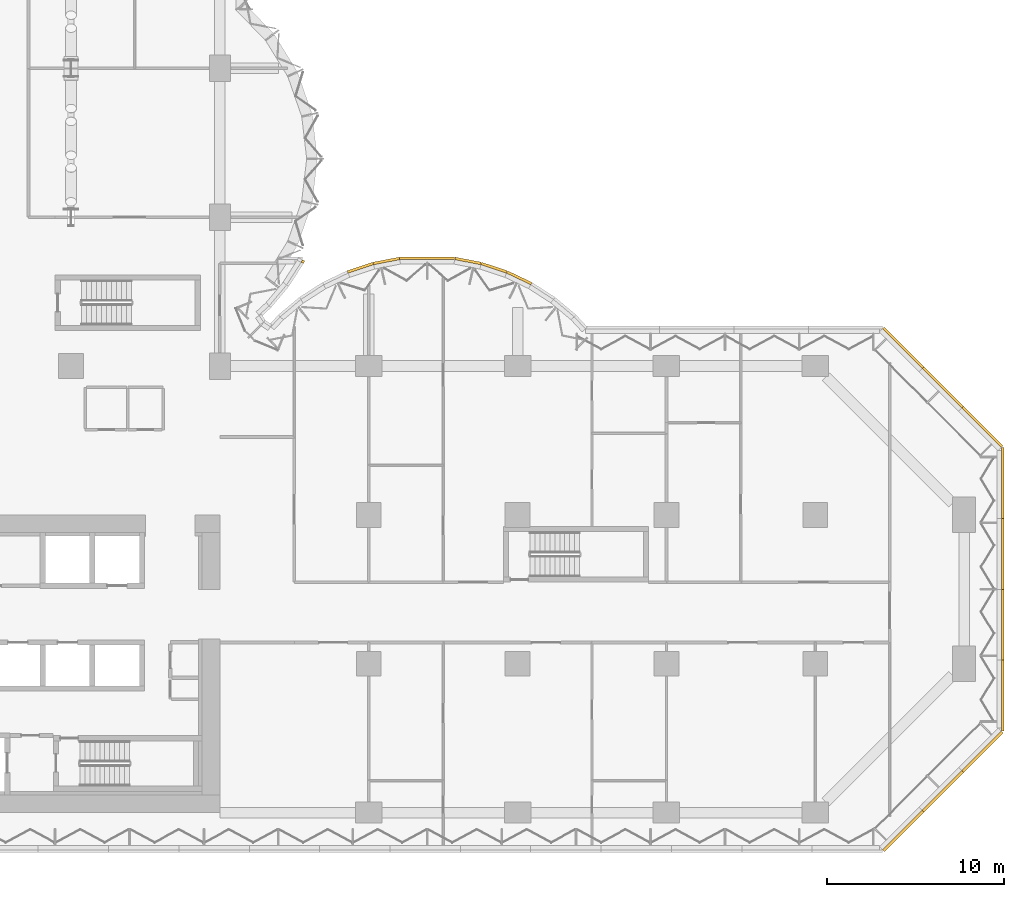
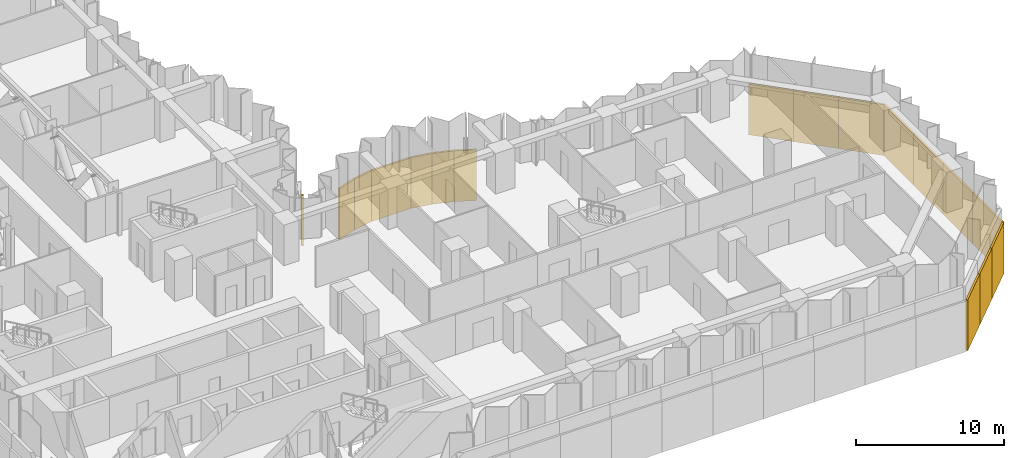
# One storey, part 23 of 24: 17 coverings.
"""IFC4 building model written with IfcOpenShell, lengths in metres."""

from ifc_helpers import new_model, si_unit, direction, frame, origin, place, context, subcontext, project, spatial, polyline, outline, extrude, material, layer, layer_set, type_object, element, save


model = new_model("IFC4")

# Units and contexts
model_context = context("Model", 3, precision=1e-05, world=origin(), true_north=direction((0.0, 1.0)))
body_context = subcontext(model_context, "Body", "Model", "MODEL_VIEW")
ifc_project = project(units=[si_unit("LENGTHUNIT", "METRE"), si_unit("AREAUNIT", "SQUARE_METRE"), si_unit("VOLUMEUNIT", "CUBIC_METRE"), si_unit("PLANEANGLEUNIT", "RADIAN"), si_unit("MASSUNIT", "GRAM", prefix="KILO")], contexts=[model_context])

# Site, building, storey
site_placement = place(None, origin())
site = spatial("IfcSite", under=ifc_project, at=site_placement, CompositionType="ELEMENT")
building_placement = place(site_placement, origin())
building = spatial("IfcBuilding", under=site, at=building_placement, Name="Brevane Broadcast Tower", CompositionType="ELEMENT")
storey_placement = place(building_placement, frame((0.0, 0.0, 36.5)))
storey = spatial("IfcBuildingStorey", under=building, at=storey_placement, Name="L06", CompositionType="ELEMENT", Elevation=36.5)

# Coverings
ifc_material = material(Name="Precast concrete C40/50", Category="concrete")
ifc_layer = layer(ifc_material, 0.14990234375)
ifc_layer_set = layer_set([ifc_layer], Name="CORNICE FASCIA CLADDING 4200")
covering_type = type_object("IfcCoveringType", Name="CORNICE FASCIA CLADDING 4200", PredefinedType="CLADDING", material=ifc_layer_set)
covering_1_placement = place(storey_placement, frame((0.0, 0.0, -4.199951171875)))
element("IfcCovering", 1, at=covering_1_placement, inside=storey, type_object=covering_type, Name="Cornice fascia", PredefinedType="CLADDING", context=body_context, shape_type="SweptSolid", body=[
    extrude(outline(polyline([(29.854736328125, 31.199951171875), (29.784912109375, 31.052978515625), (29.920166015625, 30.98828125), (29.990234375, 31.135498046875), (29.854736328125, 31.199951171875)])), origin(), (0.0, 0.0, 1.0), 4.199951171875),
])
covering_2_placement = place(storey_placement, frame((0.0, 0.0, -4.199951171875)))
element("IfcCovering", 2, at=covering_2_placement, inside=storey, type_object=covering_type, Name="Cornice fascia", PredefinedType="CLADDING", context=body_context, shape_type="SweptSolid", body=[
    extrude(outline(polyline([(32.43017578125, 30.440673828125), (33.879638671875, 30.916748046875), (33.832763671875, 31.059326171875), (32.38330078125, 30.5830078125), (32.43017578125, 30.440673828125)])), origin(), (0.0, 0.0, 1.0), 4.199951171875),
])
covering_3_placement = place(storey_placement, frame((0.0, 0.0, -4.199951171875)))
element("IfcCovering", 3, at=covering_3_placement, inside=storey, type_object=covering_type, Name="Cornice fascia", PredefinedType="CLADDING", context=body_context, shape_type="SweptSolid", body=[
    extrude(outline(polyline([(33.879638671875, 30.916748046875), (35.348388671875, 31.199951171875), (35.31982421875, 31.347412109375), (33.851318359375, 31.064208984375), (33.879638671875, 30.916748046875)])), origin(), (0.0, 0.0, 1.0), 4.199951171875),
])
covering_4_placement = place(storey_placement, frame((0.0, 0.0, -4.199951171875)))
element("IfcCovering", 4, at=covering_4_placement, inside=storey, type_object=covering_type, Name="Cornice fascia", PredefinedType="CLADDING", context=body_context, shape_type="SweptSolid", body=[
    extrude(outline(polyline([(35.348388671875, 31.199951171875), (38.45166015625, 31.199951171875), (38.45166015625, 31.35009765625), (35.348388671875, 31.35009765625), (35.348388671875, 31.199951171875)])), origin(), (0.0, 0.0, 1.0), 4.199951171875),
])
covering_5_placement = place(storey_placement, frame((0.0, 0.0, -4.199951171875)))
element("IfcCovering", 5, at=covering_5_placement, inside=storey, type_object=covering_type, Name="Cornice fascia", PredefinedType="CLADDING", context=body_context, shape_type="SweptSolid", body=[
    extrude(outline(polyline([(38.45166015625, 31.199951171875), (39.92041015625, 30.916748046875), (39.94873046875, 31.064208984375), (38.47998046875, 31.347412109375), (38.45166015625, 31.199951171875)])), origin(), (0.0, 0.0, 1.0), 4.199951171875),
])
covering_6_placement = place(storey_placement, frame((0.0, 0.0, -4.199951171875)))
element("IfcCovering", 6, at=covering_6_placement, inside=storey, type_object=covering_type, Name="Cornice fascia", PredefinedType="CLADDING", context=body_context, shape_type="SweptSolid", body=[
    extrude(outline(polyline([(39.92041015625, 30.916748046875), (41.369873046875, 30.440673828125), (41.41650390625, 30.5830078125), (39.96728515625, 31.059326171875), (39.92041015625, 30.916748046875)])), origin(), (0.0, 0.0, 1.0), 4.199951171875),
])
covering_7_placement = place(storey_placement, frame((0.0, 0.0, -4.199951171875)))
element("IfcCovering", 7, at=covering_7_placement, inside=storey, type_object=covering_type, Name="Cornice fascia", PredefinedType="CLADDING", context=body_context, shape_type="SweptSolid", body=[
    extrude(outline(polyline([(41.369873046875, 30.440673828125), (42.7470703125, 29.784912109375), (42.8115234375, 29.920166015625), (41.43408203125, 30.576171875), (41.369873046875, 30.440673828125)])), origin(), (0.0, 0.0, 1.0), 4.199951171875),
])
covering_8_placement = place(storey_placement, frame((0.0, 0.0, -4.199951171875)))
element("IfcCovering", 8, at=covering_8_placement, inside=storey, type_object=covering_type, Name="Cornice fascia", PredefinedType="CLADDING", context=body_context, shape_type="SweptSolid", body=[
    extrude(outline(polyline([(62.59716796875, 27.300048828125), (64.831298828125, 25.065673828125), (64.9375, 25.171875), (62.703125, 27.406005859375), (62.59716796875, 27.300048828125)])), origin(), (0.0, 0.0, 1.0), 4.199951171875),
])
covering_9_placement = place(storey_placement, frame((0.0, 0.0, -4.199951171875)))
element("IfcCovering", 9, at=covering_9_placement, inside=storey, type_object=covering_type, Name="Cornice fascia", PredefinedType="CLADDING", context=body_context, shape_type="SweptSolid", body=[
    extrude(outline(polyline([(64.831298828125, 25.065673828125), (67.065673828125, 22.831298828125), (67.171875, 22.9375), (64.9375, 25.171875), (64.831298828125, 25.065673828125)])), origin(), (0.0, 0.0, 1.0), 4.199951171875),
])
covering_10_placement = place(storey_placement, frame((0.0, 0.0, -4.199951171875)))
element("IfcCovering", 10, at=covering_10_placement, inside=storey, type_object=covering_type, Name="Cornice fascia", PredefinedType="CLADDING", context=body_context, shape_type="SweptSolid", body=[
    extrude(outline(polyline([(67.065673828125, 22.831298828125), (69.300048828125, 20.59716796875), (69.406005859375, 20.703125), (67.171875, 22.9375), (67.065673828125, 22.831298828125)])), origin(), (0.0, 0.0, 1.0), 4.199951171875),
])
covering_11_placement = place(storey_placement, frame((0.0, 0.0, -4.199951171875)))
element("IfcCovering", 11, at=covering_11_placement, inside=storey, type_object=covering_type, Name="Cornice fascia", PredefinedType="CLADDING", context=body_context, shape_type="SweptSolid", body=[
    extrude(outline(polyline([(69.300048828125, 20.59716796875), (69.300048828125, 16.598388671875), (69.449951171875, 16.598388671875), (69.449951171875, 20.59716796875), (69.300048828125, 20.59716796875)])), origin(), (0.0, 0.0, 1.0), 4.199951171875),
])
covering_12_placement = place(storey_placement, frame((0.0, 0.0, -4.199951171875)))
element("IfcCovering", 12, at=covering_12_placement, inside=storey, type_object=covering_type, Name="Cornice fascia", PredefinedType="CLADDING", context=body_context, shape_type="SweptSolid", body=[
    extrude(outline(polyline([(69.300048828125, 16.598388671875), (69.300048828125, 12.60009765625), (69.449951171875, 12.60009765625), (69.449951171875, 16.598388671875), (69.300048828125, 16.598388671875)])), origin(), (0.0, 0.0, 1.0), 4.199951171875),
])
covering_13_placement = place(storey_placement, frame((0.0, 0.0, -4.199951171875)))
element("IfcCovering", 13, at=covering_13_placement, inside=storey, type_object=covering_type, Name="Cornice fascia", PredefinedType="CLADDING", context=body_context, shape_type="SweptSolid", body=[
    extrude(outline(polyline([(69.300048828125, 12.60009765625), (69.300048828125, 8.6015625), (69.449951171875, 8.6015625), (69.449951171875, 12.60009765625), (69.300048828125, 12.60009765625)])), origin(), (0.0, 0.0, 1.0), 4.199951171875),
])
covering_14_placement = place(storey_placement, frame((0.0, 0.0, -4.199951171875)))
element("IfcCovering", 14, at=covering_14_placement, inside=storey, type_object=covering_type, Name="Cornice fascia", PredefinedType="CLADDING", context=body_context, shape_type="SweptSolid", body=[
    extrude(outline(polyline([(69.300048828125, 8.6015625), (69.300048828125, 4.602783203125), (69.449951171875, 4.602783203125), (69.449951171875, 8.6015625), (69.300048828125, 8.6015625)])), origin(), (0.0, 0.0, 1.0), 4.199951171875),
])
covering_15_placement = place(storey_placement, frame((0.0, 0.0, -4.199951171875)))
element("IfcCovering", 15, at=covering_15_placement, inside=storey, type_object=covering_type, Name="Cornice fascia", PredefinedType="CLADDING", context=body_context, shape_type="SweptSolid", body=[
    extrude(outline(polyline([(69.300048828125, 4.602783203125), (67.065673828125, 2.36865234375), (67.171875, 2.2626953125), (69.406005859375, 4.496826171875), (69.300048828125, 4.602783203125)])), origin(), (0.0, 0.0, 1.0), 4.199951171875),
])
covering_16_placement = place(storey_placement, frame((0.0, 0.0, -4.199951171875)))
element("IfcCovering", 16, at=covering_16_placement, inside=storey, type_object=covering_type, Name="Cornice fascia", PredefinedType="CLADDING", context=body_context, shape_type="SweptSolid", body=[
    extrude(outline(polyline([(67.065673828125, 2.36865234375), (64.831298828125, 0.13427734375), (64.9375, 0.0283203125), (67.171875, 2.2626953125), (67.065673828125, 2.36865234375)])), origin(), (0.0, 0.0, 1.0), 4.199951171875),
])
covering_17_placement = place(storey_placement, frame((0.0, 0.0, -4.199951171875)))
element("IfcCovering", 17, at=covering_17_placement, inside=storey, type_object=covering_type, Name="Cornice fascia", PredefinedType="CLADDING", context=body_context, shape_type="SweptSolid", body=[
    extrude(outline(polyline([(64.831298828125, 0.13427734375), (62.59716796875, -2.10009765625), (62.703125, -2.2060546875), (64.9375, 0.0283203125), (64.831298828125, 0.13427734375)])), origin(), (0.0, 0.0, 1.0), 4.199951171875),
])

save(model, "model.ifc")
